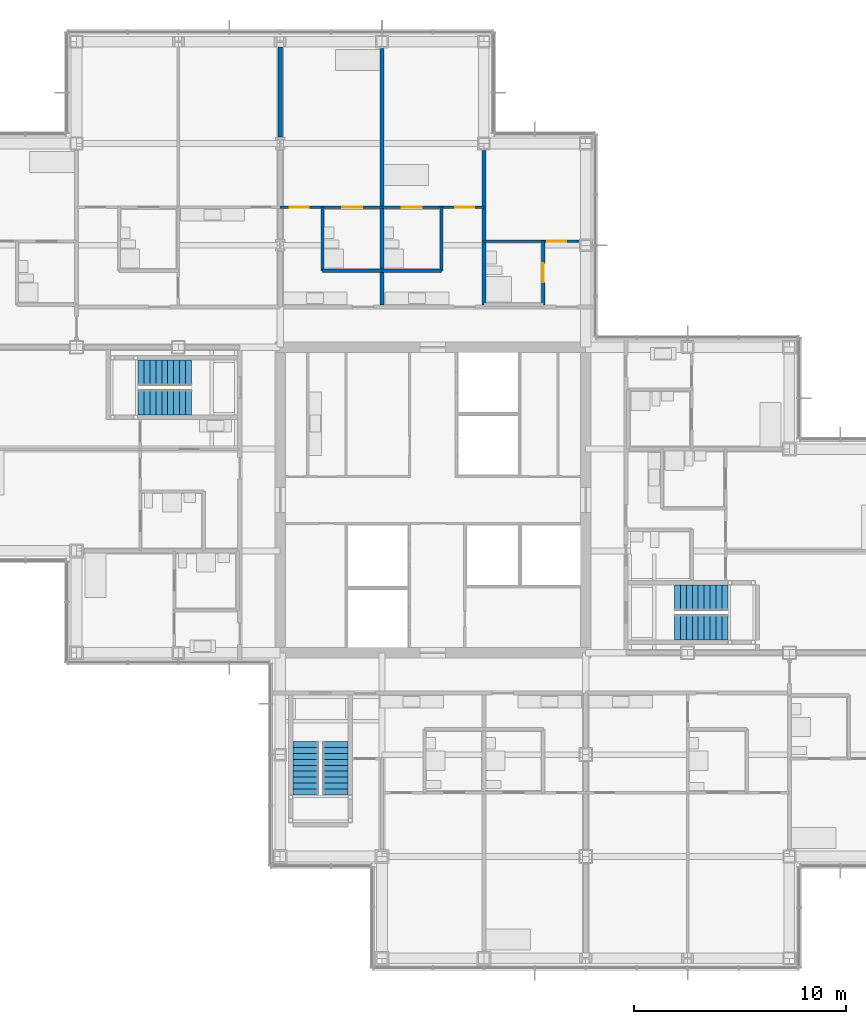
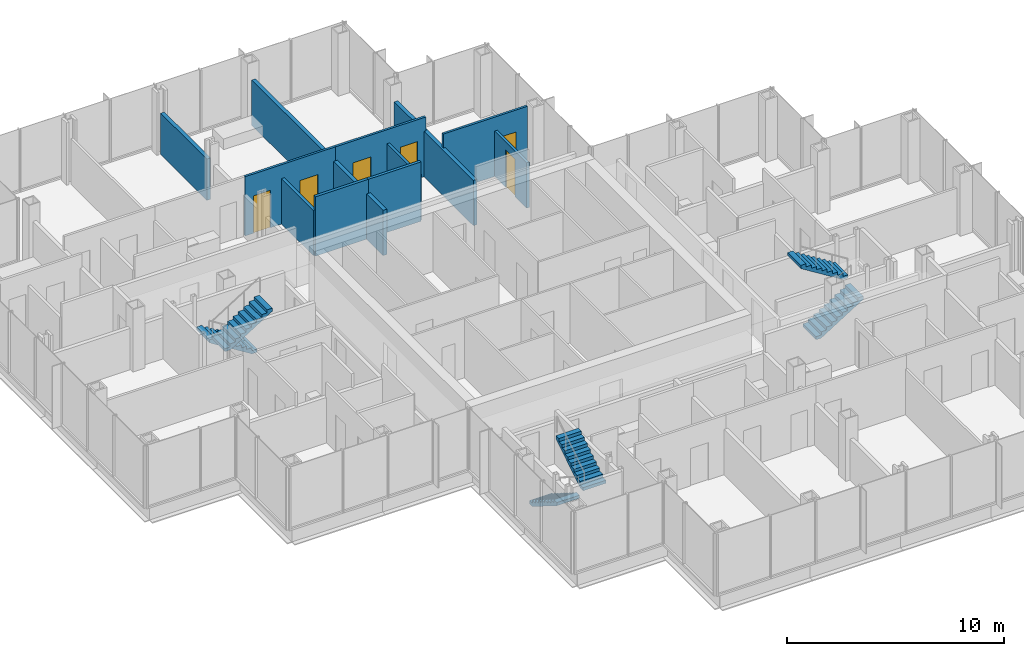
# One storey, part 17 of 20: 11 walls, 6 doors, 6 stair flights, 6 openings, 3 elements without a shape of their own.
"""IFC4 building model written with IfcOpenShell, lengths in metres."""

from ifc_helpers import new_model, si_unit, direction, frame, frame_2d, origin, place, context, subcontext, project, spatial, polyline, rectangle, outline, extrude, material, layer, layer_set, type_object, element, fill, aggregate, save


model = new_model("IFC4")

# Units and contexts
model_context = context("Model", 3, precision=1e-05, world=origin(), true_north=direction((0.0, 1.0)))
body_context = subcontext(model_context, "Body", "Model", "MODEL_VIEW")
ifc_project = project(units=[si_unit("LENGTHUNIT", "METRE"), si_unit("AREAUNIT", "SQUARE_METRE"), si_unit("VOLUMEUNIT", "CUBIC_METRE"), si_unit("PLANEANGLEUNIT", "RADIAN"), si_unit("MASSUNIT", "GRAM", prefix="KILO")], contexts=[model_context])

# Site, building, storey
site_placement = place(None, origin())
site = spatial("IfcSite", under=ifc_project, at=site_placement, CompositionType="ELEMENT")
building_placement = place(site_placement, origin())
building = spatial("IfcBuilding", under=site, at=building_placement, Name="Kvirike Care Tower", CompositionType="ELEMENT")
storey_placement = place(building_placement, frame((0.0, 0.0, 94.5)))
storey = spatial("IfcBuildingStorey", under=building, at=storey_placement, Name="L25", CompositionType="ELEMENT", Elevation=94.5)

# Wall, opening, door
ifc_material_1 = material(Name="Moisture-resistant board partition", Category="gypsum")
ifc_layer_1 = layer(ifc_material_1, 0.14990234375)
ifc_layer_set_1 = layer_set([ifc_layer_1], Name="BATHROOM WALL 150")
wall_type_1 = type_object("IfcWallType", Name="BATHROOM WALL 150", PredefinedType="PARTITIONING", material=ifc_layer_set_1)
wall_1_placement = place(storey_placement, frame((26.800048828125, 48.199951171875, 0.0), z_axis=(0.0, 0.0, 1.0), x_axis=(0.0, -1.0, 0.0)))
wall_1 = element("IfcWall", 1, at=wall_1_placement, inside=storey, type_object=wall_type_1, Name="Bathroom Wall 150 L25", PredefinedType="PARTITIONING", context=body_context, shape_type="SweptSolid", body=[
    extrude(rectangle(XDim=3.0, YDim=0.14990234375, at=frame_2d((1.5, 0.0))), origin(), (0.0, 0.0, 1.0), 2.550048828125),
])
opening_1_placement = place(wall_1_placement, frame((1.050048828125, 0.0, 0.0)))
opening_1 = element("IfcOpeningElement", 2, at=opening_1_placement, cuts=wall_1, Name="Opening 25-026", PredefinedType="OPENING", context=body_context, shape_type="SweptSolid", body=[
    extrude(rectangle(XDim=0.89990234375, YDim=2.10009765625, at=frame_2d((0.449951171875, 1.050048828125))), frame((0.0, 0.08544921875, 0.0), z_axis=(0.0, -1.0, 0.0), x_axis=(1.0, 0.0, 0.0)), (0.0, 0.0, 1.0), 0.1708984375),
])
ifc_material_2 = material(Name="Timber door set", Category="wood")
door_type_1 = type_object("IfcDoorType", Name="BATHROOM DOOR 900", OperationType="SINGLE_SWING_RIGHT", PredefinedType="DOOR", material=ifc_material_2)
door_1_placement = place(opening_1_placement, origin())
door_1 = element("IfcDoor", 3, at=door_1_placement, inside=storey, type_object=door_type_1, Name="Assisted bathroom door", OperationType="SINGLE_SWING_LEFT", OverallHeight=2.10009765625, OverallWidth=0.89990234375, PredefinedType="DOOR", context=body_context, shape_type="SweptSolid", body=[
    extrude(rectangle(XDim=0.89990234375, YDim=2.10009765625, at=frame_2d((0.449951171875, 1.050048828125))), frame((0.0, 0.02197265625, 0.0), z_axis=(0.0, -1.0, 0.0), x_axis=(1.0, 0.0, 0.0)), (0.0, 0.0, 1.0), 0.0439453125),
])
fill(opening_1, door_1)

# Walls
wall_2_placement = place(storey_placement, frame((22.0, 49.800048828125, 0.0), z_axis=(0.0, 0.0, 1.0), x_axis=(0.0, -1.0, 0.0)))
element("IfcWall", 4, at=wall_2_placement, inside=storey, type_object=wall_type_1, Name="Bathroom Wall 150 L25", PredefinedType="PARTITIONING", context=body_context, shape_type="SweptSolid", body=[
    extrude(rectangle(XDim=3.0, YDim=0.14990234375, at=frame_2d((1.5, 0.0))), origin(), (0.0, 0.0, 1.0), 2.550048828125),
])
wall_3_placement = place(storey_placement, frame((22.0, 46.800048828125, 0.0), z_axis=(0.0, 0.0, 1.0), x_axis=(-1.0, 0.0, 0.0)))
element("IfcWall", 5, at=wall_3_placement, inside=storey, type_object=wall_type_1, Name="Bathroom Wall 150 L25", PredefinedType="PARTITIONING", context=body_context, shape_type="SweptSolid", body=[
    extrude(rectangle(XDim=2.800048828125, YDim=0.14990234375, at=frame_2d((1.39990234375, 0.0))), origin(), (0.0, 0.0, 1.0), 3.330078125),
])
wall_4_placement = place(storey_placement, frame((16.39990234375, 49.800048828125, 0.0), z_axis=(0.0, 0.0, 1.0), x_axis=(0.0, -1.0, 0.0)))
element("IfcWall", 6, at=wall_4_placement, inside=storey, type_object=wall_type_1, Name="Bathroom Wall 150 L25", PredefinedType="PARTITIONING", context=body_context, shape_type="SweptSolid", body=[
    extrude(rectangle(XDim=3.0, YDim=0.14990234375, at=frame_2d((1.5, 0.0))), origin(), (0.0, 0.0, 1.0), 2.550048828125),
])
wall_5_placement = place(storey_placement, frame((19.199951171875, 46.800048828125, 0.0), z_axis=(0.0, 0.0, 1.0), x_axis=(-1.0, 0.0, 0.0)))
element("IfcWall", 7, at=wall_5_placement, inside=storey, type_object=wall_type_1, Name="Bathroom Wall 150 L25", PredefinedType="PARTITIONING", context=body_context, shape_type="SweptSolid", body=[
    extrude(rectangle(XDim=2.800048828125, YDim=0.14990234375, at=frame_2d((1.39990234375, 0.0))), origin(), (0.0, 0.0, 1.0), 3.330078125),
])

# Wall, opening, door
ifc_material_3 = material(Name="Plasterboard partition", Category="gypsum")
ifc_layer_2 = layer(ifc_material_3, 0.1201171875)
ifc_layer_set_2 = layer_set([ifc_layer_2], Name="PARTITION 120")
wall_type_2 = type_object("IfcWallType", Name="PARTITION 120", PredefinedType="PARTITIONING", material=ifc_layer_set_2)
wall_6_placement = place(storey_placement, frame((28.47998046875, 48.199951171875, 0.0), z_axis=(0.0, 0.0, 1.0), x_axis=(-1.0, 0.0, 0.0)))
wall_6 = element("IfcWall", 8, at=wall_6_placement, inside=storey, type_object=wall_type_2, Name="Partition 120 L25", PredefinedType="PARTITIONING", context=body_context, shape_type="SweptSolid", body=[
    extrude(rectangle(XDim=4.47998046875, YDim=0.1201171875, at=frame_2d((2.239990234375, 0.0))), origin(), (0.0, 0.0, 1.0), 3.330078125),
])
opening_2_placement = place(wall_6_placement, frame((0.60498046875, 0.0, 0.0)))
opening_2 = element("IfcOpeningElement", 9, at=opening_2_placement, cuts=wall_6, Name="Opening 25-027", PredefinedType="OPENING", context=body_context, shape_type="SweptSolid", body=[
    extrude(rectangle(XDim=0.89990234375, YDim=2.10009765625, at=frame_2d((0.449951171875, 1.050048828125))), frame((0.0, 0.070556640625, 0.0), z_axis=(0.0, -1.0, 0.0), x_axis=(1.0, 0.0, 0.0)), (0.0, 0.0, 1.0), 0.14111328125),
])
ifc_material_4 = material(Name="Timber door set", Category="wood")
door_type_2 = type_object("IfcDoorType", Name="INTERNAL DOOR 900", OperationType="SINGLE_SWING_LEFT", PredefinedType="DOOR", material=ifc_material_4)
door_2_placement = place(opening_2_placement, origin())
door_2 = element("IfcDoor", 10, at=door_2_placement, inside=storey, type_object=door_type_2, Name="Care lounge door", OperationType="SINGLE_SWING_LEFT", OverallHeight=2.10009765625, OverallWidth=0.89990234375, PredefinedType="DOOR", context=body_context, shape_type="SweptSolid", body=[
    extrude(rectangle(XDim=0.89990234375, YDim=2.10009765625, at=frame_2d((0.449951171875, 1.050048828125))), frame((0.0, 0.02197265625, 0.0), z_axis=(0.0, -1.0, 0.0), x_axis=(1.0, 0.0, 0.0)), (0.0, 0.0, 1.0), 0.0439453125),
])
fill(opening_2, door_2)

# Wall, openings, doors
wall_7_placement = place(storey_placement, frame((24.0, 49.800048828125, 0.0), z_axis=(0.0, 0.0, 1.0), x_axis=(-1.0, 0.0, 0.0)))
wall_7 = element("IfcWall", 11, at=wall_7_placement, inside=storey, type_object=wall_type_2, Name="Partition 120 L25", PredefinedType="PARTITIONING", context=body_context, shape_type="SweptSolid", body=[
    extrude(rectangle(XDim=4.800048828125, YDim=0.1201171875, at=frame_2d((2.39990234375, 0.0))), origin(), (0.0, 0.0, 1.0), 3.330078125),
])
opening_3_placement = place(wall_7_placement, frame((0.449951171875, 0.0, 0.0)))
opening_3 = element("IfcOpeningElement", 12, at=opening_3_placement, cuts=wall_7, Name="Opening 25-028", PredefinedType="OPENING", context=body_context, shape_type="SweptSolid", body=[
    extrude(rectangle(XDim=0.89990234375, YDim=2.10009765625, at=frame_2d((0.449951171875, 1.050048828125))), frame((0.0, 0.070556640625, 0.0), z_axis=(0.0, -1.0, 0.0), x_axis=(1.0, 0.0, 0.0)), (0.0, 0.0, 1.0), 0.14111328125),
])
opening_4_placement = place(wall_7_placement, frame((2.925048828125, 0.0, 0.0)))
opening_4 = element("IfcOpeningElement", 13, at=opening_4_placement, cuts=wall_7, Name="Opening 25-029", PredefinedType="OPENING", context=body_context, shape_type="SweptSolid", body=[
    extrude(rectangle(XDim=0.949951171875, YDim=2.10009765625, at=frame_2d((0.47509765625, 1.050048828125))), frame((0.0, 0.070556640625, 0.0), z_axis=(0.0, -1.0, 0.0), x_axis=(1.0, 0.0, 0.0)), (0.0, 0.0, 1.0), 0.14111328125),
])
ifc_material_5 = material(Name="Timber door set", Category="wood")
door_type_3 = type_object("IfcDoorType", Name="EN-SUITE SLIDING DOOR 950", OperationType="SLIDING_TO_LEFT", PredefinedType="DOOR", material=ifc_material_5)
door_3_placement = place(opening_4_placement, origin())
door_3 = element("IfcDoor", 14, at=door_3_placement, inside=storey, type_object=door_type_3, Name="En-suite door", OperationType="SLIDING_TO_LEFT", OverallHeight=2.10009765625, OverallWidth=0.949951171875, PredefinedType="DOOR", context=body_context, shape_type="SweptSolid", body=[
    extrude(rectangle(XDim=0.949951171875, YDim=2.10009765625, at=frame_2d((0.47509765625, 1.050048828125))), frame((0.0, 0.02197265625, 0.0), z_axis=(0.0, -1.0, 0.0), x_axis=(1.0, 0.0, 0.0)), (0.0, 0.0, 1.0), 0.0439453125),
])
fill(opening_4, door_3)
door_4_placement = place(opening_3_placement, origin())
door_4 = element("IfcDoor", 15, at=door_4_placement, inside=storey, type_object=door_type_2, Name="Assisted living suite door", OperationType="SINGLE_SWING_RIGHT", OverallHeight=2.10009765625, OverallWidth=0.89990234375, PredefinedType="DOOR", context=body_context, shape_type="SweptSolid", body=[
    extrude(rectangle(XDim=0.89990234375, YDim=2.10009765625, at=frame_2d((0.449951171875, 1.050048828125))), frame((0.0, 0.02197265625, 0.0), z_axis=(0.0, -1.0, 0.0), x_axis=(1.0, 0.0, 0.0)), (0.0, 0.0, 1.0), 0.0439453125),
])
fill(opening_3, door_4)

wall_8_placement = place(storey_placement, frame((19.199951171875, 49.800048828125, 0.0), z_axis=(0.0, 0.0, 1.0), x_axis=(-1.0, 0.0, 0.0)))
wall_8 = element("IfcWall", 16, at=wall_8_placement, inside=storey, type_object=wall_type_2, Name="Partition 120 L25", PredefinedType="PARTITIONING", context=body_context, shape_type="SweptSolid", body=[
    extrude(rectangle(XDim=4.800048828125, YDim=0.1201171875, at=frame_2d((2.39990234375, 0.0))), origin(), (0.0, 0.0, 1.0), 3.330078125),
])
opening_5_placement = place(wall_8_placement, frame((3.449951171875, 0.0, 0.0)))
opening_5 = element("IfcOpeningElement", 17, at=opening_5_placement, cuts=wall_8, Name="Opening 25-030", PredefinedType="OPENING", context=body_context, shape_type="SweptSolid", body=[
    extrude(rectangle(XDim=0.89990234375, YDim=2.10009765625, at=frame_2d((0.449951171875, 1.050048828125))), frame((0.0, 0.070556640625, 0.0), z_axis=(0.0, -1.0, 0.0), x_axis=(1.0, 0.0, 0.0)), (0.0, 0.0, 1.0), 0.14111328125),
])
opening_6_placement = place(wall_8_placement, frame((0.925048828125, 0.0, 0.0)))
opening_6 = element("IfcOpeningElement", 18, at=opening_6_placement, cuts=wall_8, Name="Opening 25-031", PredefinedType="OPENING", context=body_context, shape_type="SweptSolid", body=[
    extrude(rectangle(XDim=0.949951171875, YDim=2.10009765625, at=frame_2d((0.47509765625, 1.050048828125))), frame((0.0, 0.070556640625, 0.0), z_axis=(0.0, -1.0, 0.0), x_axis=(1.0, 0.0, 0.0)), (0.0, 0.0, 1.0), 0.14111328125),
])
door_5_placement = place(opening_6_placement, origin())
door_5 = element("IfcDoor", 19, at=door_5_placement, inside=storey, type_object=door_type_3, Name="En-suite door", OperationType="SLIDING_TO_RIGHT", OverallHeight=2.10009765625, OverallWidth=0.949951171875, PredefinedType="DOOR", context=body_context, shape_type="SweptSolid", body=[
    extrude(rectangle(XDim=0.949951171875, YDim=2.10009765625, at=frame_2d((0.47509765625, 1.050048828125))), frame((0.0, 0.02197265625, 0.0), z_axis=(0.0, -1.0, 0.0), x_axis=(1.0, 0.0, 0.0)), (0.0, 0.0, 1.0), 0.0439453125),
])
fill(opening_6, door_5)
door_6_placement = place(opening_5_placement, origin())
door_6 = element("IfcDoor", 20, at=door_6_placement, inside=storey, type_object=door_type_2, Name="Assisted living suite door", OperationType="SINGLE_SWING_LEFT", OverallHeight=2.10009765625, OverallWidth=0.89990234375, PredefinedType="DOOR", context=body_context, shape_type="SweptSolid", body=[
    extrude(rectangle(XDim=0.89990234375, YDim=2.10009765625, at=frame_2d((0.449951171875, 1.050048828125))), frame((0.0, 0.02197265625, 0.0), z_axis=(0.0, -1.0, 0.0), x_axis=(1.0, 0.0, 0.0)), (0.0, 0.0, 1.0), 0.0439453125),
])
fill(opening_5, door_6)

# Walls
ifc_material_6 = material(Name="Plasterboard party wall", Category="gypsum")
ifc_layer_3 = layer(ifc_material_6, 0.199951171875)
ifc_layer_set_3 = layer_set([ifc_layer_3], Name="PARTY WALL 200")
wall_type_3 = type_object("IfcWallType", Name="PARTY WALL 200", PredefinedType="PARTITIONING", material=ifc_layer_set_3)
wall_9_placement = place(storey_placement, frame((24.0, 52.47998046875, 0.0), z_axis=(0.0, 0.0, 1.0), x_axis=(0.0, -1.0, 0.0)))
element("IfcWall", 21, at=wall_9_placement, inside=storey, type_object=wall_type_3, Name="Party Wall 200 L25", PredefinedType="PARTITIONING", context=body_context, shape_type="SweptSolid", body=[
    extrude(rectangle(XDim=7.280029296875, YDim=0.199951171875, at=frame_2d((3.64013671875, 0.0))), origin(), (0.0, 0.0, 1.0), 2.550048828125),
])
wall_10_placement = place(storey_placement, frame((19.199951171875, 57.280029296875, 0.0), z_axis=(0.0, 0.0, 1.0), x_axis=(0.0, -1.0, 0.0)))
element("IfcWall", 22, at=wall_10_placement, inside=storey, type_object=wall_type_3, Name="Party Wall 200 L25", PredefinedType="PARTITIONING", context=body_context, shape_type="SweptSolid", body=[
    extrude(rectangle(XDim=12.080078125, YDim=0.199951171875, at=frame_2d((6.0400390625, 0.0))), origin(), (0.0, 0.0, 1.0), 2.550048828125),
])
wall_11_placement = place(storey_placement, frame((14.39990234375, 53.094970703125, 0.0), z_axis=(0.0, 0.0, 1.0), x_axis=(0.0, 1.0, 0.0)))
element("IfcWall", 23, at=wall_11_placement, inside=storey, type_object=wall_type_3, Name="Party Wall 200 L25", PredefinedType="PARTITIONING", context=body_context, shape_type="SweptSolid", body=[
    extrude(rectangle(XDim=4.258056640625, YDim=0.199951171875, at=frame_2d((2.12890625, 0.0))), origin(), (0.0, 0.0, 1.0), 2.320068359375),
])

# Stair, stair flights
ifc_material_7 = material(Name="Concrete C35/45", Category="concrete")
stair_type = type_object("IfcStairType", Name="STAIR 20 RISERS", PredefinedType="HALF_TURN_STAIR", material=ifc_material_7)
stair_1_placement = place(storey_placement, origin())
stair_1 = element("IfcStair", 24, at=stair_1_placement, inside=storey, type_object=stair_type, Name="Stair 1 L25", PredefinedType="HALF_TURN_STAIR")
ifc_material_8 = material(Name="Concrete C35/45", Category="concrete")
stair_flight_type = type_object("IfcStairFlightType", Name="FLIGHT 10 RISERS", PredefinedType="STRAIGHT", material=ifc_material_8)
stair_flight_1_placement = place(storey_placement, frame((10.219970703125, 42.0, 0.0), z_axis=(0.0, 0.0, 1.0), x_axis=(-1.0, 0.0, 0.0)))
stair_flight_1 = element("IfcStairFlight", 25, at=stair_flight_1_placement, type_object=stair_flight_type, Name="Stair S1 flight 1 L25-L26", NumberOfRisers=10, NumberOfTreads=9, PredefinedType="STRAIGHT", RiserHeight=0.175, TreadLength=0.28, context=body_context, shape_type="SweptSolid", body=[
    extrude(outline(polyline([(0.0, 0.0), (0.0, 0.175048828125), (0.280029296875, 0.175048828125), (0.280029296875, 0.35009765625), (0.56005859375, 0.35009765625), (0.56005859375, 0.52490234375), (0.840087890625, 0.52490234375), (0.840087890625, 0.699951171875), (1.1201171875, 0.699951171875), (1.1201171875, 0.875), (1.39990234375, 0.875), (1.39990234375, 1.050048828125), (1.679931640625, 1.050048828125), (1.679931640625, 1.22509765625), (1.9599609375, 1.22509765625), (1.9599609375, 1.39990234375), (2.239990234375, 1.39990234375), (2.239990234375, 1.574951171875), (2.52001953125, 1.574951171875), (2.52001953125, 1.75), (2.52001953125, 1.398193359375), (0.28271484375, 0.0), (0.0, 0.0)])), frame((0.0, 0.60009765625, 0.0), z_axis=(0.0, -1.0, 0.0), x_axis=(1.0, 0.0, 0.0)), (0.0, 0.0, 1.0), 1.199951171875),
])
stair_flight_2_placement = place(storey_placement, frame((7.699951171875, 40.60009765625, 1.75), z_axis=(0.0, 0.0, 1.0), x_axis=(1.0, 0.0, 0.0)))
stair_flight_2 = element("IfcStairFlight", 26, at=stair_flight_2_placement, type_object=stair_flight_type, Name="Stair S1 flight 2 L25-L26", NumberOfRisers=10, NumberOfTreads=9, PredefinedType="STRAIGHT", RiserHeight=0.175, TreadLength=0.28, context=body_context, shape_type="SweptSolid", body=[
    extrude(outline(polyline([(0.0, 0.0), (0.0, 0.175048828125), (0.280029296875, 0.175048828125), (0.280029296875, 0.35009765625), (0.56005859375, 0.35009765625), (0.56005859375, 0.52490234375), (0.840087890625, 0.52490234375), (0.840087890625, 0.699951171875), (1.1201171875, 0.699951171875), (1.1201171875, 0.875), (1.39990234375, 0.875), (1.39990234375, 1.050048828125), (1.679931640625, 1.050048828125), (1.679931640625, 1.22509765625), (1.9599609375, 1.22509765625), (1.9599609375, 1.39990234375), (2.239990234375, 1.39990234375), (2.239990234375, 1.574951171875), (2.52001953125, 1.574951171875), (2.52001953125, 1.75), (2.52001953125, 1.398193359375), (0.28271484375, 0.0), (0.0, 0.0)])), frame((0.0, 0.60009765625, 0.0), z_axis=(0.0, -1.0, 0.0), x_axis=(1.0, 0.0, 0.0)), (0.0, 0.0, 1.0), 1.199951171875),
])
aggregate(stair_1, [stair_flight_1, stair_flight_2])

stair_2_placement = place(storey_placement, origin())
stair_2 = element("IfcStair", 27, at=stair_2_placement, inside=storey, type_object=stair_type, Name="Stair 2 L25", PredefinedType="HALF_TURN_STAIR")
stair_flight_3_placement = place(storey_placement, frame((32.97998046875, 30.0, 0.0), z_axis=(0.0, 0.0, 1.0), x_axis=(1.0, 0.0, 0.0)))
stair_flight_3 = element("IfcStairFlight", 28, at=stair_flight_3_placement, type_object=stair_flight_type, Name="Stair S2 flight 1 L25-L26", NumberOfRisers=10, NumberOfTreads=9, PredefinedType="STRAIGHT", RiserHeight=0.175, TreadLength=0.28, context=body_context, shape_type="SweptSolid", body=[
    extrude(outline(polyline([(0.0, 0.0), (0.0, 0.175048828125), (0.280029296875, 0.175048828125), (0.280029296875, 0.35009765625), (0.56005859375, 0.35009765625), (0.56005859375, 0.52490234375), (0.840087890625, 0.52490234375), (0.840087890625, 0.699951171875), (1.1201171875, 0.699951171875), (1.1201171875, 0.875), (1.39990234375, 0.875), (1.39990234375, 1.050048828125), (1.679931640625, 1.050048828125), (1.679931640625, 1.22509765625), (1.9599609375, 1.22509765625), (1.9599609375, 1.39990234375), (2.239990234375, 1.39990234375), (2.239990234375, 1.574951171875), (2.52001953125, 1.574951171875), (2.52001953125, 1.75), (2.52001953125, 1.398193359375), (0.28271484375, 0.0), (0.0, 0.0)])), frame((0.0, 0.60009765625, 0.0), z_axis=(0.0, -1.0, 0.0), x_axis=(1.0, 0.0, 0.0)), (0.0, 0.0, 1.0), 1.199951171875),
])
stair_flight_4_placement = place(storey_placement, frame((35.5, 31.39990234375, 1.75), z_axis=(0.0, 0.0, 1.0), x_axis=(-1.0, 0.0, 0.0)))
stair_flight_4 = element("IfcStairFlight", 29, at=stair_flight_4_placement, type_object=stair_flight_type, Name="Stair S2 flight 2 L25-L26", NumberOfRisers=10, NumberOfTreads=9, PredefinedType="STRAIGHT", RiserHeight=0.175, TreadLength=0.28, context=body_context, shape_type="SweptSolid", body=[
    extrude(outline(polyline([(0.0, 0.0), (0.0, 0.175048828125), (0.280029296875, 0.175048828125), (0.280029296875, 0.35009765625), (0.56005859375, 0.35009765625), (0.56005859375, 0.52490234375), (0.840087890625, 0.52490234375), (0.840087890625, 0.699951171875), (1.1201171875, 0.699951171875), (1.1201171875, 0.875), (1.39990234375, 0.875), (1.39990234375, 1.050048828125), (1.679931640625, 1.050048828125), (1.679931640625, 1.22509765625), (1.9599609375, 1.22509765625), (1.9599609375, 1.39990234375), (2.239990234375, 1.39990234375), (2.239990234375, 1.574951171875), (2.52001953125, 1.574951171875), (2.52001953125, 1.75), (2.52001953125, 1.398193359375), (0.28271484375, 0.0), (0.0, 0.0)])), frame((0.0, 0.60009765625, 0.0), z_axis=(0.0, -1.0, 0.0), x_axis=(1.0, 0.0, 0.0)), (0.0, 0.0, 1.0), 1.199951171875),
])
aggregate(stair_2, [stair_flight_3, stair_flight_4])

stair_3_placement = place(storey_placement, origin())
stair_3 = element("IfcStair", 30, at=stair_3_placement, inside=storey, type_object=stair_type, Name="Stair 5 L25", PredefinedType="HALF_TURN_STAIR")
stair_flight_5_placement = place(storey_placement, frame((15.60009765625, 24.6201171875, 0.0), z_axis=(0.0, 0.0, 1.0), x_axis=(0.0, -1.0, 0.0)))
stair_flight_5 = element("IfcStairFlight", 31, at=stair_flight_5_placement, type_object=stair_flight_type, Name="Stair S5 flight 1 L25-L26", NumberOfRisers=10, NumberOfTreads=9, PredefinedType="STRAIGHT", RiserHeight=0.175, TreadLength=0.28, context=body_context, shape_type="SweptSolid", body=[
    extrude(outline(polyline([(0.0, 0.0), (0.0, 0.175048828125), (0.280029296875, 0.175048828125), (0.280029296875, 0.35009765625), (0.56005859375, 0.35009765625), (0.56005859375, 0.52490234375), (0.840087890625, 0.52490234375), (0.840087890625, 0.699951171875), (1.1201171875, 0.699951171875), (1.1201171875, 0.875), (1.39990234375, 0.875), (1.39990234375, 1.050048828125), (1.679931640625, 1.050048828125), (1.679931640625, 1.22509765625), (1.9599609375, 1.22509765625), (1.9599609375, 1.39990234375), (2.239990234375, 1.39990234375), (2.239990234375, 1.574951171875), (2.52001953125, 1.574951171875), (2.52001953125, 1.75), (2.52001953125, 1.398193359375), (0.28271484375, 0.0), (0.0, 0.0)])), frame((0.0, 0.60009765625, 0.0), z_axis=(0.0, -1.0, 0.0), x_axis=(1.0, 0.0, 0.0)), (0.0, 0.0, 1.0), 1.199951171875),
])
stair_flight_6_placement = place(storey_placement, frame((17.0, 22.10009765625, 1.75), z_axis=(0.0, 0.0, 1.0), x_axis=(0.0, 1.0, 0.0)))
stair_flight_6 = element("IfcStairFlight", 32, at=stair_flight_6_placement, type_object=stair_flight_type, Name="Stair S5 flight 2 L25-L26", NumberOfRisers=10, NumberOfTreads=9, PredefinedType="STRAIGHT", RiserHeight=0.175, TreadLength=0.28, context=body_context, shape_type="SweptSolid", body=[
    extrude(outline(polyline([(0.0, 0.0), (0.0, 0.175048828125), (0.280029296875, 0.175048828125), (0.280029296875, 0.35009765625), (0.56005859375, 0.35009765625), (0.56005859375, 0.52490234375), (0.840087890625, 0.52490234375), (0.840087890625, 0.699951171875), (1.1201171875, 0.699951171875), (1.1201171875, 0.875), (1.39990234375, 0.875), (1.39990234375, 1.050048828125), (1.679931640625, 1.050048828125), (1.679931640625, 1.22509765625), (1.9599609375, 1.22509765625), (1.9599609375, 1.39990234375), (2.239990234375, 1.39990234375), (2.239990234375, 1.574951171875), (2.52001953125, 1.574951171875), (2.52001953125, 1.75), (2.52001953125, 1.398193359375), (0.28271484375, 0.0), (0.0, 0.0)])), frame((0.0, 0.60009765625, 0.0), z_axis=(0.0, -1.0, 0.0), x_axis=(1.0, 0.0, 0.0)), (0.0, 0.0, 1.0), 1.199951171875),
])
aggregate(stair_3, [stair_flight_5, stair_flight_6])

save(model, "model.ifc")
